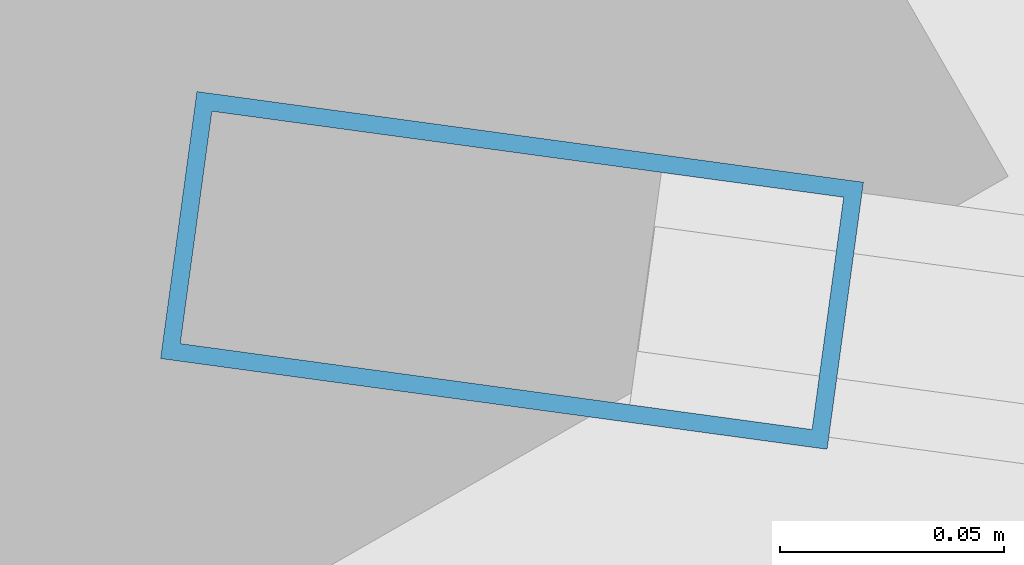
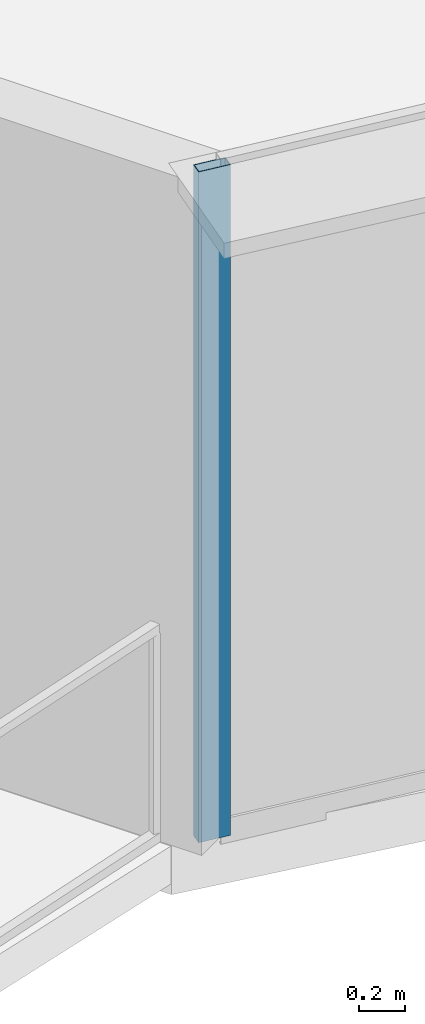
# One storey, part 2 of 36: 1 member, 1 element without a shape of its own.
"""IFC4 building model written with IfcOpenShell, lengths in metres."""

from ifc_helpers import new_model, si_unit, direction, frame, origin, origin_2d, place, context, subcontext, project, spatial, hollow_rectangle, extrude, source, transform, mapped, material, layer, layer_set, material_profile, profile_set, type_object, element, aggregate, save


model = new_model("IFC4")

# Units and contexts
model_context = context("Model", 3, precision=1e-05, world=origin(), true_north=direction((0.0, 1.0)))
body_context = subcontext(model_context, "Body", "Model", "MODEL_VIEW")
ifc_project = project(units=[si_unit("LENGTHUNIT", "METRE"), si_unit("AREAUNIT", "SQUARE_METRE"), si_unit("VOLUMEUNIT", "CUBIC_METRE"), si_unit("PLANEANGLEUNIT", "RADIAN"), si_unit("MASSUNIT", "GRAM", prefix="KILO"), si_unit("THERMODYNAMICTEMPERATUREUNIT", "KELVIN"), si_unit("POWERUNIT", "WATT")], contexts=[model_context])

# Site, building, storey
site_placement = place(None, origin())
site = spatial("IfcSite", under=ifc_project, at=site_placement, CompositionType="ELEMENT")
building_placement = place(site_placement, origin())
building = spatial("IfcBuilding", under=site, at=building_placement, Name="Yunzhuo Pagoda Commons", CompositionType="ELEMENT")
storey_placement = place(building_placement, frame((0.0, 0.0, 211.360107421875)))
storey = spatial("IfcBuildingStorey", under=building, at=storey_placement, Name="L53", CompositionType="ELEMENT", Elevation=211.360107421875)

# Curtain wall, member
ifc_material = material(Name="Anodized aluminium 6063-T6", Category="aluminium")
ifc_layer = layer(ifc_material, 0.14990234375)
ifc_layer_set = layer_set([ifc_layer], Name="Anodized aluminium 6063-T6")
curtain_wall_type = type_object("IfcCurtainWallType", Name="CW-MID Mid-Zone Ribbon Curtain Wall", PredefinedType="NOTDEFINED", material=ifc_layer_set)
curtain_wall_placement = place(storey_placement, origin())
curtain_wall = element("IfcCurtainWall", 1, at=curtain_wall_placement, inside=storey, type_object=curtain_wall_type, Name="L53 curtain wall CW-L53-F1B1", PredefinedType="NOTDEFINED")
ifc_material_profile = material_profile(ifc_material, hollow_rectangle(XDim=0.06005859375, YDim=0.14990234375, WallThickness=0.00390625, at=origin_2d()), Name="Anodized aluminium 6063-T6")
ifc_profile_set = profile_set([ifc_material_profile], Name="Anodized aluminium 6063-T6")
member_type = type_object("IfcMemberType", Name="CW-MID-M Mullion RHS 150x60x4", PredefinedType="MULLION", material=ifc_profile_set)
shared_shape = source(origin(), body_context, "Body", "SweptSolid", [
    extrude(hollow_rectangle(XDim=0.06005859375, YDim=0.14990234375, WallThickness=0.00390625, at=origin_2d()), origin(), (0.0, 0.0, 1.0), 3.539794921875),
])
member_placement = place(storey_placement, frame((14.53662109375, 17.793212890625, 0.0), z_axis=(0.0, 0.0, 1.0), x_axis=(0.134839446061, 0.990867460252, 0.0)))
member = element("IfcMember", 2, at=member_placement, type_object=member_type, Name="CW mullion 1", PredefinedType="MULLION", context=body_context, shape_type="MappedRepresentation", body=[
    mapped(shared_shape, transform((0.0, 0.0, 0.0), scale=1.0)),
])
aggregate(curtain_wall, [member])

save(model, "model.ifc")
